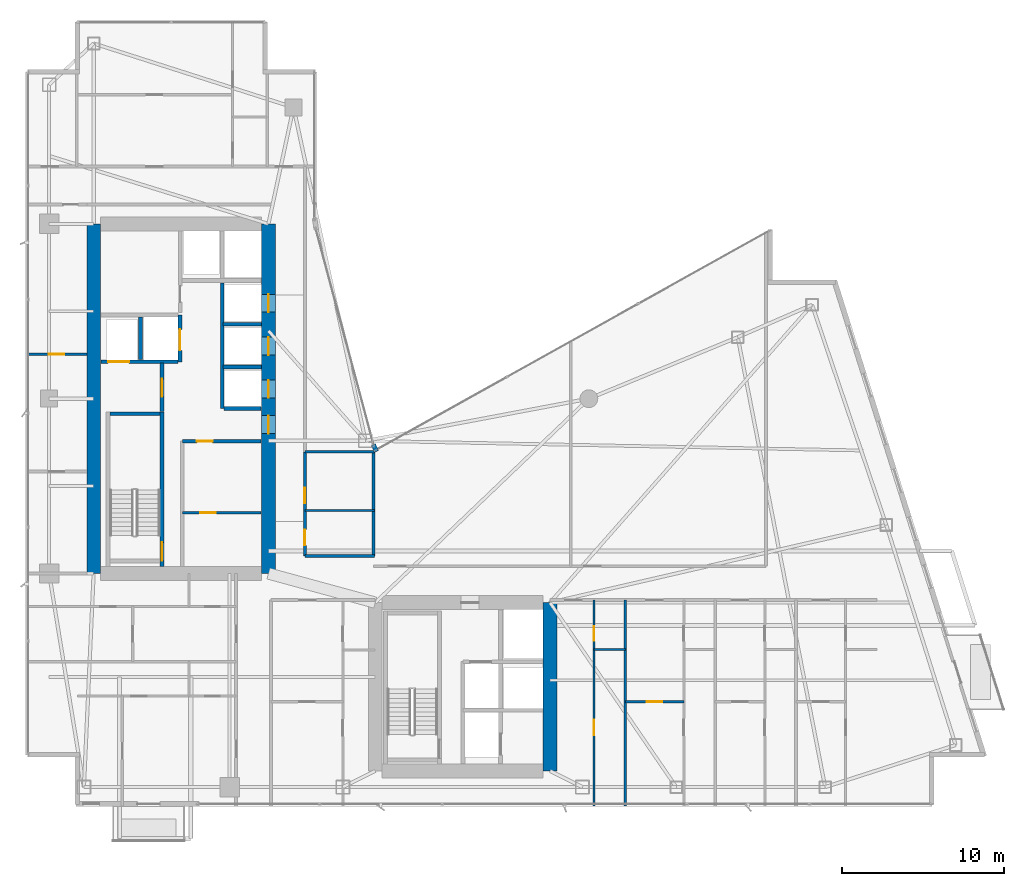
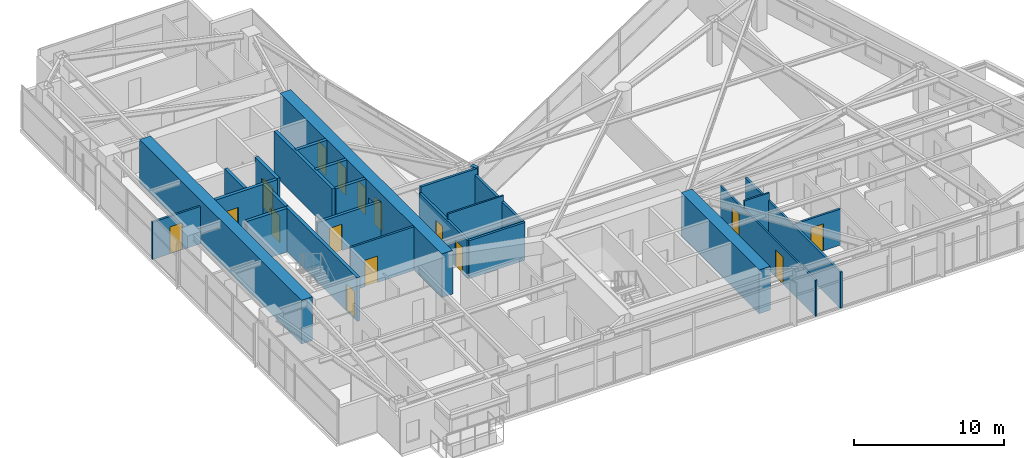
# One storey, part 23 of 29: 26 walls, 16 doors, 16 openings.
"""IFC4 building model written with IfcOpenShell, lengths in metres."""

from ifc_helpers import new_model, si_unit, direction, frame, frame_2d, origin, place, context, subcontext, project, spatial, rectangle, extrude, material, layer, layer_set, type_object, element, fill, save


model = new_model("IFC4")

# Units and contexts
model_context = context("Model", 3, precision=1e-05, world=origin(), true_north=direction((0.0, 1.0)))
body_context = subcontext(model_context, "Body", "Model", "MODEL_VIEW")
ifc_project = project(units=[si_unit("LENGTHUNIT", "METRE"), si_unit("AREAUNIT", "SQUARE_METRE"), si_unit("VOLUMEUNIT", "CUBIC_METRE"), si_unit("PLANEANGLEUNIT", "RADIAN"), si_unit("MASSUNIT", "GRAM", prefix="KILO")], contexts=[model_context])

# Site, building, storey
site_placement = place(None, origin())
site = spatial("IfcSite", under=ifc_project, at=site_placement, CompositionType="ELEMENT")
building_placement = place(site_placement, origin())
building = spatial("IfcBuilding", under=site, at=building_placement, Name="Calvorn Quay Hotel", CompositionType="ELEMENT")
storey_placement = place(building_placement, frame((0.0, 0.0, 171.300048828125)))
storey = spatial("IfcBuildingStorey", under=building, at=storey_placement, Name="L42", CompositionType="ELEMENT", Elevation=171.300048828125)

# Wall
ifc_material_1 = material(Name="Concrete C50", Category="concrete")
ifc_layer_1 = layer(ifc_material_1, 0.85009765625)
ifc_layer_set_1 = layer_set([ifc_layer_1], Name="WL-CORE-850")
wall_type_1 = type_object("IfcWallType", Name="WL-CORE-850", PredefinedType="SHEAR", material=ifc_layer_set_1)
wall_1_placement = place(storey_placement, frame((4.199951171875, 16.800048828125, 0.0), z_axis=(0.0, 0.0, 1.0), x_axis=(0.0, 1.0, 0.0)))
element("IfcWall", 1, at=wall_1_placement, inside=storey, type_object=wall_type_1, Name="West Core Shear Wall W (L42)", PredefinedType="SHEAR", context=body_context, shape_type="SweptSolid", body=[
    extrude(rectangle(XDim=21.599853515625, YDim=0.85009765625, at=frame_2d((10.7998046875, 0.0))), origin(), (0.0, 0.0, 1.0), 3.56005859375),
])

# Wall, openings, doors
wall_2_placement = place(storey_placement, frame((15.0, 16.800048828125, 0.0), z_axis=(0.0, 0.0, 1.0), x_axis=(0.0, 1.0, 0.0)))
wall_2 = element("IfcWall", 2, at=wall_2_placement, inside=storey, type_object=wall_type_1, Name="West Core Shear Wall E (L42)", PredefinedType="SHEAR", context=body_context, shape_type="SweptSolid", body=[
    extrude(rectangle(XDim=21.599853515625, YDim=0.85009765625, at=frame_2d((10.7998046875, 0.0))), origin(), (0.0, 0.0, 1.0), 3.56005859375),
])
opening_1_placement = place(wall_2_placement, frame((8.64990234375, 0.0, 0.0)))
opening_1 = element("IfcOpeningElement", 3, at=opening_1_placement, cuts=wall_2, Name="Opening D-L42-CW1", PredefinedType="OPENING", context=body_context, shape_type="SweptSolid", body=[
    extrude(rectangle(XDim=1.10009765625, YDim=2.199951171875, at=frame_2d((0.550048828125, 1.10009765625))), frame((0.0, 0.43505859375, 0.0), z_axis=(0.0, -1.0, 0.0), x_axis=(1.0, 0.0, 0.0)), (0.0, 0.0, 1.0), 0.8701171875),
])
opening_2_placement = place(wall_2_placement, frame((10.85009765625, 0.0, 0.0)))
opening_2 = element("IfcOpeningElement", 4, at=opening_2_placement, cuts=wall_2, Name="Opening LD-L42-M1", PredefinedType="OPENING", context=body_context, shape_type="SweptSolid", body=[
    extrude(rectangle(XDim=1.10009765625, YDim=2.199951171875, at=frame_2d((0.550048828125, 1.10009765625))), frame((0.0, 0.43505859375, 0.0), z_axis=(0.0, -1.0, 0.0), x_axis=(1.0, 0.0, 0.0)), (0.0, 0.0, 1.0), 0.8701171875),
])
opening_3_placement = place(wall_2_placement, frame((13.5, 0.0, 0.0)))
opening_3 = element("IfcOpeningElement", 5, at=opening_3_placement, cuts=wall_2, Name="Opening LD-L42-M2", PredefinedType="OPENING", context=body_context, shape_type="SweptSolid", body=[
    extrude(rectangle(XDim=1.10009765625, YDim=2.199951171875, at=frame_2d((0.550048828125, 1.10009765625))), frame((0.0, 0.43505859375, 0.0), z_axis=(0.0, -1.0, 0.0), x_axis=(1.0, 0.0, 0.0)), (0.0, 0.0, 1.0), 0.8701171875),
])
opening_4_placement = place(wall_2_placement, frame((16.14990234375, 0.0, 0.0)))
opening_4 = element("IfcOpeningElement", 6, at=opening_4_placement, cuts=wall_2, Name="Opening LD-L42-M3", PredefinedType="OPENING", context=body_context, shape_type="SweptSolid", body=[
    extrude(rectangle(XDim=1.10009765625, YDim=2.199951171875, at=frame_2d((0.550048828125, 1.10009765625))), frame((0.0, 0.43505859375, 0.0), z_axis=(0.0, -1.0, 0.0), x_axis=(1.0, 0.0, 0.0)), (0.0, 0.0, 1.0), 0.8701171875),
])
ifc_material_2 = material(Name="Smoke-Sealed Steel Class A Fire Door", Category="steel")
door_type_1 = type_object("IfcDoorType", Name="DR-FFLOBBY-1100", OperationType="NOTDEFINED", PredefinedType="DOOR", material=ifc_material_2)
door_1_placement = place(opening_1_placement, origin())
door_1 = element("IfcDoor", 7, at=door_1_placement, inside=storey, type_object=door_type_1, Name="West Core Vestibule Fire Door (L42)", OperationType="SINGLE_SWING_LEFT", OverallHeight=2.199951171875, OverallWidth=1.10009765625, PredefinedType="DOOR", context=body_context, shape_type="SweptSolid", body=[
    extrude(rectangle(XDim=1.10009765625, YDim=2.199951171875, at=frame_2d((0.550048828125, 1.10009765625))), frame((0.0, 0.02490234375, 0.0), z_axis=(0.0, -1.0, 0.0), x_axis=(1.0, 0.0, 0.0)), (0.0, 0.0, 1.0), 0.050048828125),
])
fill(opening_1, door_1)
ifc_material_3 = material(Name="Brushed Stainless Steel Sliding Lift Landing Door", Category="steel")
door_type_2 = type_object("IfcDoorType", Name="DR-LIFT-PASS-1100", OperationType="NOTDEFINED", PredefinedType="DOOR", material=ifc_material_3)
door_2_placement = place(opening_2_placement, origin())
door_2 = element("IfcDoor", 8, at=door_2_placement, inside=storey, type_object=door_type_2, Name="Mid-Rise Lift PL-M1 Landing Door (L42)", OperationType="DOUBLE_DOOR_SLIDING", OverallHeight=2.199951171875, OverallWidth=1.10009765625, PredefinedType="DOOR", context=body_context, shape_type="SweptSolid", body=[
    extrude(rectangle(XDim=1.10009765625, YDim=2.199951171875, at=frame_2d((0.550048828125, 1.10009765625))), frame((0.0, 0.02490234375, 0.0), z_axis=(0.0, -1.0, 0.0), x_axis=(1.0, 0.0, 0.0)), (0.0, 0.0, 1.0), 0.050048828125),
])
fill(opening_2, door_2)
door_3_placement = place(opening_3_placement, origin())
door_3 = element("IfcDoor", 9, at=door_3_placement, inside=storey, type_object=door_type_2, Name="Mid-Rise Lift PL-M2 Landing Door (L42)", OperationType="DOUBLE_DOOR_SLIDING", OverallHeight=2.199951171875, OverallWidth=1.10009765625, PredefinedType="DOOR", context=body_context, shape_type="SweptSolid", body=[
    extrude(rectangle(XDim=1.10009765625, YDim=2.199951171875, at=frame_2d((0.550048828125, 1.10009765625))), frame((0.0, 0.02490234375, 0.0), z_axis=(0.0, -1.0, 0.0), x_axis=(1.0, 0.0, 0.0)), (0.0, 0.0, 1.0), 0.050048828125),
])
fill(opening_3, door_3)
door_4_placement = place(opening_4_placement, origin())
door_4 = element("IfcDoor", 10, at=door_4_placement, inside=storey, type_object=door_type_2, Name="Mid-Rise Lift PL-M3 Landing Door (L42)", OperationType="DOUBLE_DOOR_SLIDING", OverallHeight=2.199951171875, OverallWidth=1.10009765625, PredefinedType="DOOR", context=body_context, shape_type="SweptSolid", body=[
    extrude(rectangle(XDim=1.10009765625, YDim=2.199951171875, at=frame_2d((0.550048828125, 1.10009765625))), frame((0.0, 0.02490234375, 0.0), z_axis=(0.0, -1.0, 0.0), x_axis=(1.0, 0.0, 0.0)), (0.0, 0.0, 1.0), 0.050048828125),
])
fill(opening_4, door_4)

# Walls
wall_3_placement = place(storey_placement, frame((32.39990234375, 4.60009765625, 0.0), z_axis=(0.0, 0.0, 1.0), x_axis=(0.0, 1.0, 0.0)))
element("IfcWall", 11, at=wall_3_placement, inside=storey, type_object=wall_type_1, Name="East Core Shear Wall E (L42)", PredefinedType="SHEAR", context=body_context, shape_type="SweptSolid", body=[
    extrude(rectangle(XDim=10.39990234375, YDim=0.85009765625, at=frame_2d((5.199951171875, 0.0))), origin(), (0.0, 0.0, 1.0), 3.56005859375),
])
ifc_material_4 = material(Name="Acoustic Fireboard Steel-Stud Partition", Category="steel")
ifc_layer_2 = layer(ifc_material_4, 0.179931640625)
ifc_layer_set_2 = layer_set([ifc_layer_2], Name="WL-CORR-FIRE-180")
wall_type_2 = type_object("IfcWallType", Name="WL-CORR-FIRE-180", PredefinedType="PARTITIONING", material=ifc_layer_set_2)
wall_4_placement = place(storey_placement, frame((17.25, 17.8798828125, 0.0), z_axis=(0.0, 0.0, 1.0), x_axis=(1.0, 0.0, 0.0)))
element("IfcWall", 12, at=wall_4_placement, inside=storey, type_object=wall_type_2, Name="Partition Wall L42-WL-HK-S", PredefinedType="PARTITIONING", context=body_context, shape_type="SweptSolid", body=[
    extrude(rectangle(XDim=4.300048828125, YDim=0.179931640625, at=frame_2d((2.14990234375, 0.0))), origin(), (0.0, 0.0, 1.0), 3.08984375),
])
wall_5_placement = place(storey_placement, frame((17.25, 24.320068359375, 0.0), z_axis=(0.0, 0.0, 1.0), x_axis=(1.0, 0.0, 0.0)))
element("IfcWall", 13, at=wall_5_placement, inside=storey, type_object=wall_type_2, Name="Partition Wall L42-WL-HK-N", PredefinedType="PARTITIONING", context=body_context, shape_type="SweptSolid", body=[
    extrude(rectangle(XDim=4.35009765625, YDim=0.179931640625, at=frame_2d((2.175048828125, 0.0))), origin(), (0.0, 0.0, 1.0), 3.56005859375),
])
wall_6_placement = place(storey_placement, frame((21.5, 17.8798828125, 0.0), z_axis=(0.0, 0.0, 1.0), x_axis=(0.0, 1.0, 0.0)))
element("IfcWall", 14, at=wall_6_placement, inside=storey, type_object=wall_type_2, Name="Partition Wall L42-WL-HK-E", PredefinedType="PARTITIONING", context=body_context, shape_type="SweptSolid", body=[
    extrude(rectangle(XDim=6.440185546875, YDim=0.179931640625, at=frame_2d((3.22021484375, 0.0))), origin(), (0.0, 0.0, 1.0), 3.08984375),
])

# Wall, openings, doors
wall_7_placement = place(storey_placement, frame((17.25, 17.8798828125, 0.0), z_axis=(0.0, 0.0, 1.0), x_axis=(0.0, 1.0, 0.0)))
wall_7 = element("IfcWall", 15, at=wall_7_placement, inside=storey, type_object=wall_type_2, Name="Partition Wall L42-WL-HK-W", PredefinedType="PARTITIONING", context=body_context, shape_type="SweptSolid", body=[
    extrude(rectangle(XDim=6.440185546875, YDim=0.179931640625, at=frame_2d((3.22021484375, 0.0))), origin(), (0.0, 0.0, 1.0), 3.08984375),
])
opening_5_placement = place(wall_7_placement, frame((0.64990234375, 0.0, 0.0)))
opening_5 = element("IfcOpeningElement", 16, at=opening_5_placement, cuts=wall_7, Name="Opening D-L42-HK", PredefinedType="OPENING", context=body_context, shape_type="SweptSolid", body=[
    extrude(rectangle(XDim=0.97998046875, YDim=2.14990234375, at=frame_2d((0.489990234375, 1.074951171875))), frame((0.0, 0.099853515625, 0.0), z_axis=(0.0, -1.0, 0.0), x_axis=(1.0, 0.0, 0.0)), (0.0, 0.0, 1.0), 0.199951171875),
])
opening_6_placement = place(wall_7_placement, frame((3.27001953125, 0.0, 0.0)))
opening_6 = element("IfcOpeningElement", 17, at=opening_6_placement, cuts=wall_7, Name="Opening D-L42-NCP", PredefinedType="OPENING", context=body_context, shape_type="SweptSolid", body=[
    extrude(rectangle(XDim=0.9599609375, YDim=2.199951171875, at=frame_2d((0.47998046875, 1.10009765625))), frame((0.0, 0.099853515625, 0.0), z_axis=(0.0, -1.0, 0.0), x_axis=(1.0, 0.0, 0.0)), (0.0, 0.0, 1.0), 0.199951171875),
])
ifc_material_5 = material(Name="Painted Steel Housekeeping/Riser Fire Door", Category="steel")
door_type_3 = type_object("IfcDoorType", Name="DR-SERVICE-980", OperationType="NOTDEFINED", PredefinedType="DOOR", material=ifc_material_5)
door_5_placement = place(opening_5_placement, origin())
door_5 = element("IfcDoor", 18, at=door_5_placement, inside=storey, type_object=door_type_3, Name="Floor Housekeeping Door (L42)", OperationType="SINGLE_SWING_LEFT", OverallHeight=2.14990234375, OverallWidth=0.97998046875, PredefinedType="DOOR", context=body_context, shape_type="SweptSolid", body=[
    extrude(rectangle(XDim=0.97998046875, YDim=2.14990234375, at=frame_2d((0.489990234375, 1.074951171875))), frame((0.0, 0.02490234375, 0.0), z_axis=(0.0, -1.0, 0.0), x_axis=(1.0, 0.0, 0.0)), (0.0, 0.0, 1.0), 0.050048828125),
])
fill(opening_5, door_5)
ifc_material_6 = material(Name="Solid Timber Internal Suite Door", Category="wood")
door_type_4 = type_object("IfcDoorType", Name="DR-SUITE-INT-960", OperationType="NOTDEFINED", PredefinedType="DOOR", material=ifc_material_6)
door_6_placement = place(opening_6_placement, origin())
door_6 = element("IfcDoor", 19, at=door_6_placement, inside=storey, type_object=door_type_4, Name="Reading Alcove Door (L42)", OperationType="SINGLE_SWING_RIGHT", OverallHeight=2.199951171875, OverallWidth=0.9599609375, PredefinedType="DOOR", context=body_context, shape_type="SweptSolid", body=[
    extrude(rectangle(XDim=0.9599609375, YDim=2.199951171875, at=frame_2d((0.47998046875, 1.10009765625))), frame((0.0, 0.02490234375, 0.0), z_axis=(0.0, -1.0, 0.0), x_axis=(1.0, 0.0, 0.0)), (0.0, 0.0, 1.0), 0.050048828125),
])
fill(opening_6, door_6)

# Walls
ifc_material_7 = material(Name="Moisture-Resistant Tile-Backed Partition")
ifc_layer_3 = layer(ifc_material_7, 0.125)
ifc_layer_set_3 = layer_set([ifc_layer_3], Name="WL-ENSUITE-125")
wall_type_3 = type_object("IfcWallType", Name="WL-ENSUITE-125", PredefinedType="PARTITIONING", material=ifc_layer_set_3)
wall_8_placement = place(storey_placement, frame((17.25, 20.679931640625, 0.0), z_axis=(0.0, 0.0, 1.0), x_axis=(1.0, 0.0, 0.0)))
element("IfcWall", 20, at=wall_8_placement, inside=storey, type_object=wall_type_3, Name="Partition Wall L42-WL-HK-M", PredefinedType="PARTITIONING", context=body_context, shape_type="SweptSolid", body=[
    extrude(rectangle(XDim=4.300048828125, YDim=0.125, at=frame_2d((2.14990234375, 0.0))), origin(), (0.0, 0.0, 1.0), 3.56005859375),
])
wall_9_placement = place(storey_placement, frame((35.1201171875, 12.10009765625, 0.0), z_axis=(0.0, 0.0, 1.0), x_axis=(1.0, 0.0, 0.0)))
element("IfcWall", 21, at=wall_9_placement, inside=storey, type_object=wall_type_3, Name="Partition Wall L42-WL-U05-BDV", PredefinedType="PARTITIONING", context=body_context, shape_type="SweptSolid", body=[
    extrude(rectangle(XDim=1.929931640625, YDim=0.125, at=frame_2d((0.96484375, 0.0))), origin(), (0.0, 0.0, 1.0), 3.56005859375),
])

# Wall, openings, doors
wall_10_placement = place(storey_placement, frame((35.1201171875, 2.43994140625, 0.0), z_axis=(0.0, 0.0, 1.0), x_axis=(0.0, 1.0, 0.0)))
wall_10 = element("IfcWall", 22, at=wall_10_placement, inside=storey, type_object=wall_type_3, Name="Partition Wall L42-WL-U05-BV", PredefinedType="PARTITIONING", context=body_context, shape_type="SweptSolid", body=[
    extrude(rectangle(XDim=12.7099609375, YDim=0.125, at=frame_2d((6.35498046875, 0.0))), origin(), (0.0, 0.0, 1.0), 2.93994140625),
])
opening_7_placement = place(wall_10_placement, frame((4.35009765625, 0.0, 0.0)))
opening_7 = element("IfcOpeningElement", 23, at=opening_7_placement, cuts=wall_10, Name="Opening D-L42-S05", PredefinedType="OPENING", context=body_context, shape_type="SweptSolid", body=[
    extrude(rectangle(XDim=0.9599609375, YDim=2.199951171875, at=frame_2d((0.47998046875, 1.10009765625))), frame((0.0, 0.072509765625, 0.0), z_axis=(0.0, -1.0, 0.0), x_axis=(1.0, 0.0, 0.0)), (0.0, 0.0, 1.0), 0.14501953125),
])
opening_8_placement = place(wall_10_placement, frame((10.2099609375, 0.0, 0.0)))
opening_8 = element("IfcOpeningElement", 24, at=opening_8_placement, cuts=wall_10, Name="Opening D-L42-E05", PredefinedType="OPENING", context=body_context, shape_type="SweptSolid", body=[
    extrude(rectangle(XDim=0.89990234375, YDim=2.14990234375, at=frame_2d((0.449951171875, 1.074951171875))), frame((0.0, 0.072509765625, 0.0), z_axis=(0.0, -1.0, 0.0), x_axis=(1.0, 0.0, 0.0)), (0.0, 0.0, 1.0), 0.14501953125),
])
ifc_material_8 = material(Name="Moisture-Sealed Timber En-Suite Door", Category="wood")
door_type_5 = type_object("IfcDoorType", Name="DR-ENSUITE-900", OperationType="NOTDEFINED", PredefinedType="DOOR", material=ifc_material_8)
door_7_placement = place(opening_8_placement, origin())
door_7 = element("IfcDoor", 25, at=door_7_placement, inside=storey, type_object=door_type_5, Name="En-Suite Door 05", OperationType="SINGLE_SWING_RIGHT", OverallHeight=2.14990234375, OverallWidth=0.89990234375, PredefinedType="DOOR", context=body_context, shape_type="SweptSolid", body=[
    extrude(rectangle(XDim=0.89990234375, YDim=2.14990234375, at=frame_2d((0.449951171875, 1.074951171875))), frame((0.0, 0.02490234375, 0.0), z_axis=(0.0, -1.0, 0.0), x_axis=(1.0, 0.0, 0.0)), (0.0, 0.0, 1.0), 0.050048828125),
])
fill(opening_8, door_7)
door_8_placement = place(opening_7_placement, origin())
door_8 = element("IfcDoor", 26, at=door_8_placement, inside=storey, type_object=door_type_4, Name="Private Media Cinema Door 05", OperationType="SINGLE_SWING_LEFT", OverallHeight=2.199951171875, OverallWidth=0.9599609375, PredefinedType="DOOR", context=body_context, shape_type="SweptSolid", body=[
    extrude(rectangle(XDim=0.9599609375, YDim=2.199951171875, at=frame_2d((0.47998046875, 1.10009765625))), frame((0.0, 0.02490234375, 0.0), z_axis=(0.0, -1.0, 0.0), x_axis=(1.0, 0.0, 0.0)), (0.0, 0.0, 1.0), 0.050048828125),
])
fill(opening_7, door_8)

# Wall
ifc_material_9 = material(Name="Concrete C40", Category="concrete")
ifc_layer_4 = layer(ifc_material_9, 0.320068359375)
ifc_layer_set_4 = layer_set([ifc_layer_4], Name="WL-EXT-SPANDREL-320")
wall_type_4 = type_object("IfcWallType", Name="WL-EXT-SPANDREL-320", PredefinedType="SOLIDWALL", material=ifc_layer_set_4)
wall_11_placement = place(storey_placement, frame((21.679931640625, 24.340087890625, 0.0), z_axis=(0.0, 0.0, 1.0), x_axis=(-0.40758134973, 0.913168901875, 0.0)))
element("IfcWall", 27, at=wall_11_placement, inside=storey, type_object=wall_type_4, Name="Inner Court Corner Pier L42-ICJ1", PredefinedType="SOLIDWALL", context=body_context, shape_type="SweptSolid", body=[
    extrude(rectangle(XDim=0.470703125, YDim=0.280029296875, at=frame_2d((0.2353515625, 0.0))), origin(), (0.0, 0.0, 1.0), 3.56005859375),
])

# Wall, opening, door
ifc_material_10 = material(Name="Double-Stud Acoustic Gypsum Partition")
ifc_layer_5 = layer(ifc_material_10, 0.159912109375)
ifc_layer_set_5 = layer_set([ifc_layer_5], Name="WL-INTERSUITE-160")
wall_type_5 = type_object("IfcWallType", Name="WL-INTERSUITE-160", PredefinedType="PARTITIONING", material=ifc_layer_set_5)
wall_12_placement = place(storey_placement, frame((9.679931640625, 20.550048828125, 0.0), z_axis=(0.0, 0.0, 1.0), x_axis=(1.0, 0.0, 0.0)))
wall_12 = element("IfcWall", 28, at=wall_12_placement, inside=storey, type_object=wall_type_5, Name="Partition Wall L42-WL-CWW-FR-SPLIT", PredefinedType="PARTITIONING", context=body_context, shape_type="SweptSolid", body=[
    extrude(rectangle(XDim=4.875, YDim=0.159912109375, at=frame_2d((2.4375, 0.0))), origin(), (0.0, 0.0, 1.0), 3.56005859375),
])
opening_9_placement = place(wall_12_placement, frame((1.10009765625, 0.0, 0.0)))
opening_9 = element("IfcOpeningElement", 29, at=opening_9_placement, cuts=wall_12, Name="Opening D-L42-FRL1", PredefinedType="OPENING", context=body_context, shape_type="SweptSolid", body=[
    extrude(rectangle(XDim=0.97998046875, YDim=2.14990234375, at=frame_2d((0.489990234375, 1.074951171875))), frame((0.0, 0.08984375, 0.0), z_axis=(0.0, -1.0, 0.0), x_axis=(1.0, 0.0, 0.0)), (0.0, 0.0, 1.0), 0.179931640625),
])
door_9_placement = place(opening_9_placement, origin())
door_9 = element("IfcDoor", 30, at=door_9_placement, inside=storey, type_object=door_type_3, Name="Linen Store Room Door (L42)", OperationType="SINGLE_SWING_LEFT", OverallHeight=2.14990234375, OverallWidth=0.97998046875, PredefinedType="DOOR", context=body_context, shape_type="SweptSolid", body=[
    extrude(rectangle(XDim=0.97998046875, YDim=2.14990234375, at=frame_2d((0.489990234375, 1.074951171875))), frame((0.0, 0.02490234375, 0.0), z_axis=(0.0, -1.0, 0.0), x_axis=(1.0, 0.0, 0.0)), (0.0, 0.0, 1.0), 0.050048828125),
])
fill(opening_9, door_9)

wall_13_placement = place(storey_placement, frame((0.080078125, 30.35009765625, 0.0), z_axis=(0.0, 0.0, 1.0), x_axis=(1.0, 0.0, 0.0)))
wall_13 = element("IfcWall", 31, at=wall_13_placement, inside=storey, type_object=wall_type_5, Name="Partition Wall L42-WL-WBAY-DIVB", PredefinedType="PARTITIONING", context=body_context, shape_type="SweptSolid", body=[
    extrude(rectangle(XDim=3.724853515625, YDim=0.159912109375, at=frame_2d((1.8623046875, 0.0))), origin(), (0.0, 0.0, 1.0), 3.0400390625),
])
opening_10_placement = place(wall_13_placement, frame((1.35009765625, 0.0, 0.0)))
opening_10 = element("IfcOpeningElement", 32, at=opening_10_placement, cuts=wall_13, Name="Opening D-L42-WBB", PredefinedType="OPENING", context=body_context, shape_type="SweptSolid", body=[
    extrude(rectangle(XDim=0.9599609375, YDim=2.199951171875, at=frame_2d((0.47998046875, 1.10009765625))), frame((0.0, 0.08984375, 0.0), z_axis=(0.0, -1.0, 0.0), x_axis=(1.0, 0.0, 0.0)), (0.0, 0.0, 1.0), 0.179931640625),
])
door_10_placement = place(opening_10_placement, origin())
door_10 = element("IfcDoor", 33, at=door_10_placement, inside=storey, type_object=door_type_4, Name="West North Connecting Door (L42)", OperationType="SINGLE_SWING_RIGHT", OverallHeight=2.199951171875, OverallWidth=0.9599609375, PredefinedType="DOOR", context=body_context, shape_type="SweptSolid", body=[
    extrude(rectangle(XDim=0.9599609375, YDim=2.199951171875, at=frame_2d((0.47998046875, 1.10009765625))), frame((0.0, 0.02490234375, 0.0), z_axis=(0.0, -1.0, 0.0), x_axis=(1.0, 0.0, 0.0)), (0.0, 0.0, 1.0), 0.050048828125),
])
fill(opening_10, door_10)

wall_14_placement = place(storey_placement, frame((37.050048828125, 8.8798828125, 0.0), z_axis=(0.0, 0.0, 1.0), x_axis=(1.0, 0.0, 0.0)))
wall_14 = element("IfcWall", 34, at=wall_14_placement, inside=storey, type_object=wall_type_5, Name="Partition Wall L42-WL-U06-MSP", PredefinedType="PARTITIONING", context=body_context, shape_type="SweptSolid", body=[
    extrude(rectangle(XDim=3.619873046875, YDim=0.159912109375, at=frame_2d((1.81005859375, 0.0))), origin(), (0.0, 0.0, 1.0), 2.93994140625),
])
opening_11_placement = place(wall_14_placement, frame((1.330078125, 0.0, 0.0)))
opening_11 = element("IfcOpeningElement", 35, at=opening_11_placement, cuts=wall_14, Name="Opening D-L42-M06", PredefinedType="OPENING", context=body_context, shape_type="SweptSolid", body=[
    extrude(rectangle(XDim=0.9599609375, YDim=2.199951171875, at=frame_2d((0.47998046875, 1.10009765625))), frame((0.0, 0.08984375, 0.0), z_axis=(0.0, -1.0, 0.0), x_axis=(1.0, 0.0, 0.0)), (0.0, 0.0, 1.0), 0.179931640625),
])
door_11_placement = place(opening_11_placement, origin())
door_11 = element("IfcDoor", 36, at=door_11_placement, inside=storey, type_object=door_type_4, Name="Suite Bedroom Door 06", OperationType="SINGLE_SWING_LEFT", OverallHeight=2.199951171875, OverallWidth=0.9599609375, PredefinedType="DOOR", context=body_context, shape_type="SweptSolid", body=[
    extrude(rectangle(XDim=0.9599609375, YDim=2.199951171875, at=frame_2d((0.47998046875, 1.10009765625))), frame((0.0, 0.02490234375, 0.0), z_axis=(0.0, -1.0, 0.0), x_axis=(1.0, 0.0, 0.0)), (0.0, 0.0, 1.0), 0.050048828125),
])
fill(opening_11, door_11)

# Wall
wall_15_placement = place(storey_placement, frame((37.050048828125, 2.43994140625, 0.0), z_axis=(0.0, 0.0, 1.0), x_axis=(0.0, 1.0, 0.0)))
element("IfcWall", 37, at=wall_15_placement, inside=storey, type_object=wall_type_5, Name="Partition Wall L42-WL-SE-DIV-1", PredefinedType="PARTITIONING", context=body_context, shape_type="SweptSolid", body=[
    extrude(rectangle(XDim=12.7099609375, YDim=0.159912109375, at=frame_2d((6.35498046875, 0.0))), origin(), (0.0, 0.0, 1.0), 2.93994140625),
])

# Wall, opening, door
ifc_material_11 = material(Name="Autoclaved Aerated Masonry Block", Category="masonry")
ifc_layer_6 = layer(ifc_material_11, 0.219970703125)
ifc_layer_set_6 = layer_set([ifc_layer_6], Name="WL-LOBBY-FIRE-220")
wall_type_6 = type_object("IfcWallType", Name="WL-LOBBY-FIRE-220", PredefinedType="SOLIDWALL", material=ifc_layer_set_6)
wall_16_placement = place(storey_placement, frame((9.679931640625, 24.969970703125, 0.0), z_axis=(0.0, 0.0, 1.0), x_axis=(1.0, 0.0, 0.0)))
wall_16 = element("IfcWall", 38, at=wall_16_placement, inside=storey, type_object=wall_type_6, Name="Partition Wall L42-WL-CWW-FR-N", PredefinedType="SOLIDWALL", context=body_context, shape_type="SweptSolid", body=[
    extrude(rectangle(XDim=4.875, YDim=0.219970703125, at=frame_2d((2.4375, 0.0))), origin(), (0.0, 0.0, 1.0), 2.93994140625),
])
opening_12_placement = place(wall_16_placement, frame((0.89990234375, 0.0, 0.0)))
opening_12 = element("IfcOpeningElement", 39, at=opening_12_placement, cuts=wall_16, Name="Opening D-L42-FRL2", PredefinedType="OPENING", context=body_context, shape_type="SweptSolid", body=[
    extrude(rectangle(XDim=0.97998046875, YDim=2.14990234375, at=frame_2d((0.489990234375, 1.074951171875))), frame((0.0, 0.119873046875, 0.0), z_axis=(0.0, -1.0, 0.0), x_axis=(1.0, 0.0, 0.0)), (0.0, 0.0, 1.0), 0.239990234375),
])
door_12_placement = place(opening_12_placement, origin())
door_12 = element("IfcDoor", 40, at=door_12_placement, inside=storey, type_object=door_type_3, Name="Beverage Pantry Door (L42)", OperationType="SINGLE_SWING_RIGHT", OverallHeight=2.14990234375, OverallWidth=0.97998046875, PredefinedType="DOOR", context=body_context, shape_type="SweptSolid", body=[
    extrude(rectangle(XDim=0.97998046875, YDim=2.14990234375, at=frame_2d((0.489990234375, 1.074951171875))), frame((0.0, 0.02490234375, 0.0), z_axis=(0.0, -1.0, 0.0), x_axis=(1.0, 0.0, 0.0)), (0.0, 0.0, 1.0), 0.050048828125),
])
fill(opening_12, door_12)

ifc_material_12 = material(Name="Concrete C40", Category="concrete")
ifc_layer_7 = layer(ifc_material_12, 0.239990234375)
ifc_layer_set_7 = layer_set([ifc_layer_7], Name="WL-SHAFT-240")
wall_type_7 = type_object("IfcWallType", Name="WL-SHAFT-240", PredefinedType="SOLIDWALL", material=ifc_layer_set_7)
wall_17_placement = place(storey_placement, frame((8.419921875, 17.22509765625, 0.0), z_axis=(0.0, 0.0, 1.0), x_axis=(0.0, 1.0, 0.0)))
wall_17 = element("IfcWall", 41, at=wall_17_placement, inside=storey, type_object=wall_type_7, Name="Stair STW Shaft Wall E (L42)", PredefinedType="SOLIDWALL", context=body_context, shape_type="SweptSolid", body=[
    extrude(rectangle(XDim=9.56494140625, YDim=0.239990234375, at=frame_2d((4.782470703125, 0.0))), origin(), (0.0, 0.0, 1.0), 3.56005859375),
])
opening_13_placement = place(wall_17_placement, frame((0.35009765625, 0.0, 0.0)))
opening_13 = element("IfcOpeningElement", 42, at=opening_13_placement, cuts=wall_17, Name="Opening D-L42-STW", PredefinedType="OPENING", context=body_context, shape_type="SweptSolid", body=[
    extrude(rectangle(XDim=1.14990234375, YDim=2.199951171875, at=frame_2d((0.574951171875, 1.10009765625))), frame((0.0, 0.1298828125, 0.0), z_axis=(0.0, -1.0, 0.0), x_axis=(1.0, 0.0, 0.0)), (0.0, 0.0, 1.0), 0.260009765625),
])
ifc_material_13 = material(Name="Galvanised Steel Class A Fire Door", Category="steel")
door_type_6 = type_object("IfcDoorType", Name="DR-STAIR-SMOKE-1150", OperationType="NOTDEFINED", PredefinedType="DOOR", material=ifc_material_13)
door_13_placement = place(opening_13_placement, origin())
door_13 = element("IfcDoor", 43, at=door_13_placement, inside=storey, type_object=door_type_6, Name="Stair ST-W Fire Door (L42)", OperationType="SINGLE_SWING_LEFT", OverallHeight=2.199951171875, OverallWidth=1.14990234375, PredefinedType="DOOR", context=body_context, shape_type="SweptSolid", body=[
    extrude(rectangle(XDim=1.14990234375, YDim=2.199951171875, at=frame_2d((0.574951171875, 1.10009765625))), frame((0.0, 0.02490234375, 0.0), z_axis=(0.0, -1.0, 0.0), x_axis=(1.0, 0.0, 0.0)), (0.0, 0.0, 1.0), 0.050048828125),
])
fill(opening_13, door_13)

# Walls
wall_18_placement = place(storey_placement, frame((5.199951171875, 26.669921875, 0.0), z_axis=(0.0, 0.0, 1.0), x_axis=(1.0, 0.0, 0.0)))
element("IfcWall", 44, at=wall_18_placement, inside=storey, type_object=wall_type_7, Name="Stair STW Shaft Wall N (L42)", PredefinedType="SOLIDWALL", context=body_context, shape_type="SweptSolid", body=[
    extrude(rectangle(XDim=3.10009765625, YDim=0.239990234375, at=frame_2d((1.550048828125, 0.0))), origin(), (0.0, 0.0, 1.0), 3.56005859375),
])
for number, where, z_axis, x_axis, name in (
    (45, (12.179931640625, 29.550048828125, 0.0), (0.0, 0.0, 1.0), (1.0, 0.0, 0.0), "Lift Hoistway Divider Wall PLM12 (L42)"),
    (46, (12.179931640625, 32.199951171875, 0.0), (0.0, 0.0, 1.0), (1.0, 0.0, 0.0), "Lift Hoistway Divider Wall PLM23 (L42)"),
):
    element("IfcWall", number, at=place(storey_placement, frame(where, z_axis=z_axis, x_axis=x_axis)), inside=storey, type_object=wall_type_7, Name=name, PredefinedType="SOLIDWALL", context=body_context, shape_type="SweptSolid", body=[
        extrude(rectangle(XDim=2.39501953125, YDim=0.239990234375, at=frame_2d((1.197509765625, 0.0))), origin(), (0.0, 0.0, 1.0), 3.56005859375),
    ])

# Wall, opening, door
wall_19_placement = place(storey_placement, frame((8.419921875, 26.820068359375, 0.0), z_axis=(0.0, 0.0, 1.0), x_axis=(0.0, 1.0, 0.0)))
wall_19 = element("IfcWall", 47, at=wall_19_placement, inside=storey, type_object=wall_type_7, Name="Partition Wall L42-WL-CWW-FFL-E", PredefinedType="SOLIDWALL", context=body_context, shape_type="SweptSolid", body=[
    extrude(rectangle(XDim=3.0, YDim=0.239990234375, at=frame_2d((1.5, 0.0))), origin(), (0.0, 0.0, 1.0), 3.56005859375),
])
opening_14_placement = place(wall_19_placement, frame((0.89990234375, 0.0, 0.0)))
opening_14 = element("IfcOpeningElement", 48, at=opening_14_placement, cuts=wall_19, Name="Opening D-L42-FLW", PredefinedType="OPENING", context=body_context, shape_type="SweptSolid", body=[
    extrude(rectangle(XDim=1.10009765625, YDim=2.199951171875, at=frame_2d((0.550048828125, 1.10009765625))), frame((0.0, 0.1298828125, 0.0), z_axis=(0.0, -1.0, 0.0), x_axis=(1.0, 0.0, 0.0)), (0.0, 0.0, 1.0), 0.260009765625),
])
door_14_placement = place(opening_14_placement, origin())
door_14 = element("IfcDoor", 49, at=door_14_placement, inside=storey, type_object=door_type_1, Name="West Firefighting Lobby Fire Door (L42)", OperationType="SINGLE_SWING_RIGHT", OverallHeight=2.199951171875, OverallWidth=1.10009765625, PredefinedType="DOOR", context=body_context, shape_type="SweptSolid", body=[
    extrude(rectangle(XDim=1.10009765625, YDim=2.199951171875, at=frame_2d((0.550048828125, 1.10009765625))), frame((0.0, 0.02490234375, 0.0), z_axis=(0.0, -1.0, 0.0), x_axis=(1.0, 0.0, 0.0)), (0.0, 0.0, 1.0), 0.050048828125),
])
fill(opening_14, door_14)

wall_20_placement = place(storey_placement, frame((4.64501953125, 29.8798828125, 0.0), z_axis=(0.0, 0.0, 1.0), x_axis=(1.0, 0.0, 0.0)))
wall_20 = element("IfcWall", 50, at=wall_20_placement, inside=storey, type_object=wall_type_7, Name="Partition Wall L42-WL-CWW-FLW-S", PredefinedType="SOLIDWALL", context=body_context, shape_type="SweptSolid", body=[
    extrude(rectangle(XDim=4.77490234375, YDim=0.239990234375, at=frame_2d((2.387451171875, 0.0))), origin(), (0.0, 0.0, 1.0), 3.56005859375),
])
opening_15_placement = place(wall_20_placement, frame((0.449951171875, 0.0, 0.0)))
opening_15 = element("IfcOpeningElement", 51, at=opening_15_placement, cuts=wall_20, Name="Opening LD-L42-FLW1", PredefinedType="OPENING", context=body_context, shape_type="SweptSolid", body=[
    extrude(rectangle(XDim=1.300048828125, YDim=2.35009765625, at=frame_2d((0.64990234375, 1.175048828125))), frame((0.0, 0.1298828125, 0.0), z_axis=(0.0, -1.0, 0.0), x_axis=(1.0, 0.0, 0.0)), (0.0, 0.0, 1.0), 0.260009765625),
])
ifc_material_14 = material(Name="Champagne-Bronze Sliding Express Lift Landing Door")
door_type_7 = type_object("IfcDoorType", Name="DR-LIFT-SHUTTLE-1300", OperationType="NOTDEFINED", PredefinedType="DOOR", material=ifc_material_14)
door_15_placement = place(opening_15_placement, origin())
door_15 = element("IfcDoor", 52, at=door_15_placement, inside=storey, type_object=door_type_7, Name="Firefighting Lift FL-W1 Landing Door (L42)", OperationType="DOUBLE_DOOR_SLIDING", OverallHeight=2.35009765625, OverallWidth=1.300048828125, PredefinedType="DOOR", context=body_context, shape_type="SweptSolid", body=[
    extrude(rectangle(XDim=1.300048828125, YDim=2.35009765625, at=frame_2d((0.64990234375, 1.175048828125))), frame((0.0, 0.02490234375, 0.0), z_axis=(0.0, -1.0, 0.0), x_axis=(1.0, 0.0, 0.0)), (0.0, 0.0, 1.0), 0.050048828125),
])
fill(opening_15, door_15)

# Wall
wall_21_placement = place(storey_placement, frame((7.10009765625, 30.02001953125, 0.0), z_axis=(0.0, 0.0, 1.0), x_axis=(0.0, 1.0, 0.0)))
element("IfcWall", 53, at=wall_21_placement, inside=storey, type_object=wall_type_7, Name="Partition Wall L42-WL-CWW-FLW-DIV", PredefinedType="SOLIDWALL", context=body_context, shape_type="SweptSolid", body=[
    extrude(rectangle(XDim=2.6298828125, YDim=0.239990234375, at=frame_2d((1.31494140625, 0.0))), origin(), (0.0, 0.0, 1.0), 3.56005859375),
])

# Wall, opening, door
wall_22_placement = place(storey_placement, frame((9.5400390625, 29.8798828125, 0.0), z_axis=(0.0, 0.0, 1.0), x_axis=(0.0, 1.0, 0.0)))
wall_22 = element("IfcWall", 54, at=wall_22_placement, inside=storey, type_object=wall_type_7, Name="Partition Wall L42-WL-CWW-SLW-E", PredefinedType="SOLIDWALL", context=body_context, shape_type="SweptSolid", body=[
    extrude(rectangle(XDim=2.900146484375, YDim=0.239990234375, at=frame_2d((1.4501953125, 0.0))), origin(), (0.0, 0.0, 1.0), 3.56005859375),
])
opening_16_placement = place(wall_22_placement, frame((0.699951171875, 0.0, 0.0)))
opening_16 = element("IfcOpeningElement", 55, at=opening_16_placement, cuts=wall_22, Name="Opening LD-L42-SLW1", PredefinedType="OPENING", context=body_context, shape_type="SweptSolid", body=[
    extrude(rectangle(XDim=1.300048828125, YDim=2.35009765625, at=frame_2d((0.64990234375, 1.175048828125))), frame((0.0, 0.1298828125, 0.0), z_axis=(0.0, -1.0, 0.0), x_axis=(1.0, 0.0, 0.0)), (0.0, 0.0, 1.0), 0.260009765625),
])
door_16_placement = place(opening_16_placement, origin())
door_16 = element("IfcDoor", 56, at=door_16_placement, inside=storey, type_object=door_type_7, Name="Service Lift SL-W1 Landing Door (L42)", OperationType="DOUBLE_DOOR_SLIDING", OverallHeight=2.35009765625, OverallWidth=1.300048828125, PredefinedType="DOOR", context=body_context, shape_type="SweptSolid", body=[
    extrude(rectangle(XDim=1.300048828125, YDim=2.35009765625, at=frame_2d((0.64990234375, 1.175048828125))), frame((0.0, 0.02490234375, 0.0), z_axis=(0.0, -1.0, 0.0), x_axis=(1.0, 0.0, 0.0)), (0.0, 0.0, 1.0), 0.050048828125),
])
fill(opening_16, door_16)

# Walls
wall_23_placement = place(storey_placement, frame((12.25, 27.0, 0.0), z_axis=(0.0, 0.0, 1.0), x_axis=(1.0, 0.0, 0.0)))
element("IfcWall", 57, at=wall_23_placement, inside=storey, type_object=wall_type_7, Name="Partition Wall L42-WL-CWW-PLM-S", PredefinedType="SOLIDWALL", context=body_context, shape_type="SweptSolid", body=[
    extrude(rectangle(XDim=2.304931640625, YDim=0.239990234375, at=frame_2d((1.15234375, 0.0))), origin(), (0.0, 0.0, 1.0), 3.56005859375),
])
wall_24_placement = place(storey_placement, frame((12.14990234375, 27.0, 0.0), z_axis=(0.0, 0.0, 1.0), x_axis=(0.0, 1.0, 0.0)))
element("IfcWall", 58, at=wall_24_placement, inside=storey, type_object=wall_type_7, Name="Partition Wall L42-WL-CWW-PLM-W", PredefinedType="SOLIDWALL", context=body_context, shape_type="SweptSolid", body=[
    extrude(rectangle(XDim=7.75, YDim=0.239990234375, at=frame_2d((3.875, 0.0))), origin(), (0.0, 0.0, 1.0), 3.56005859375),
])

save(model, "model.ifc")
